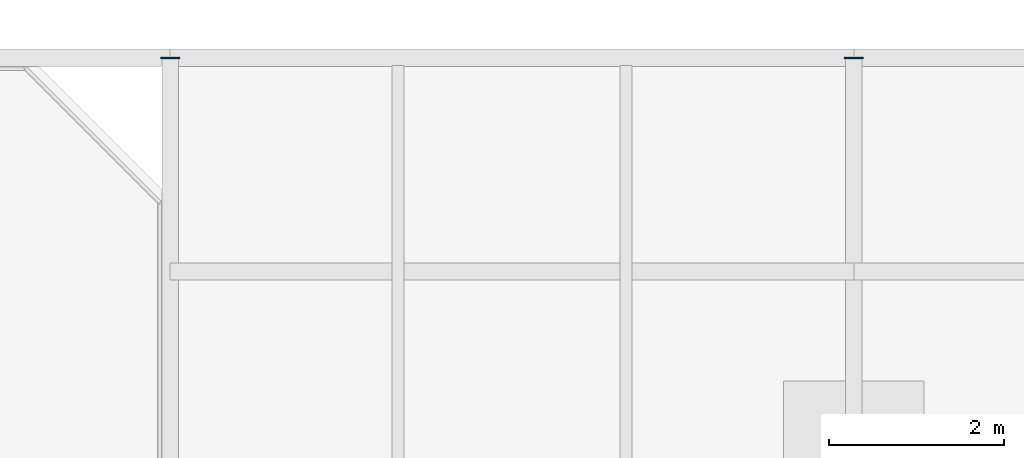
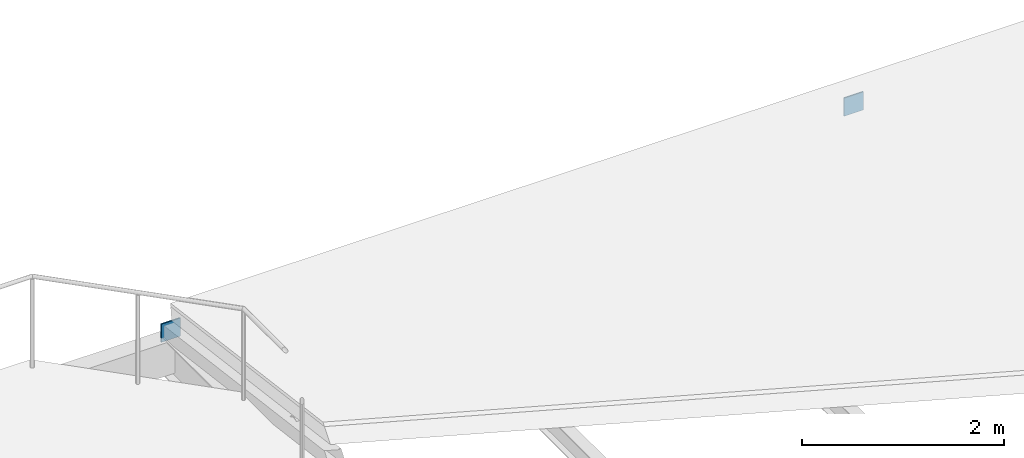
# One storey, part 31 of 45: 2 plates.
"""IFC4 building model written with IfcOpenShell, lengths in metres."""

from ifc_helpers import new_model, si_unit, direction, frame, origin, origin_2d, place, context, subcontext, project, spatial, rectangle, extrude, material, layer, layer_set, type_object, element, save


model = new_model("IFC4")

# Units and contexts
model_context = context("Model", 3, precision=1e-05, world=origin(), true_north=direction((0.0, 1.0)))
body_context = subcontext(model_context, "Body", "Model", "MODEL_VIEW")
ifc_project = project(units=[si_unit("LENGTHUNIT", "METRE"), si_unit("AREAUNIT", "SQUARE_METRE"), si_unit("VOLUMEUNIT", "CUBIC_METRE"), si_unit("PLANEANGLEUNIT", "RADIAN"), si_unit("MASSUNIT", "GRAM", prefix="KILO")], contexts=[model_context])

# Site, building, storey
site_placement = place(None, origin())
site = spatial("IfcSite", under=ifc_project, at=site_placement, CompositionType="ELEMENT")
building_placement = place(site_placement, origin())
building = spatial("IfcBuilding", under=site, at=building_placement, Name="Celorna Specialist Clinic", CompositionType="ELEMENT")
storey_placement = place(building_placement, frame((0.0, 0.0, 18.60009765625)))
storey = spatial("IfcBuildingStorey", under=building, at=storey_placement, Name="L04", CompositionType="ELEMENT", Elevation=18.60009765625)

# Plates
ifc_material = material(Name="Steel S355", Category="steel")
ifc_layer = layer(ifc_material, 0.01611328125, Name="Steel S355")
ifc_layer_set = layer_set([ifc_layer], Name="Steel S355")
plate_type = type_object("IfcPlateType", Name="EP-04", PredefinedType="SHEET", material=ifc_layer_set)
for number, where, z_axis, x_axis, name in (
    (1, (117.0, 116.0, -0.31201171875), (0.0, 0.0, 1.0), (1.0, 0.0, 0.0), "Rafter chord cap plate ROOF-V4-MID-N"),
    (2, (124.800048828125, 116.0, -0.31201171875), (0.0, 0.0, 1.0), (1.0, 0.0, 0.0), "Rafter chord cap plate ROOF-V4-MID-N"),
):
    element("IfcPlate", number, at=place(storey_placement, frame(where, z_axis=z_axis, x_axis=x_axis)), inside=storey, type_object=plate_type, Name=name, PredefinedType="SHEET", context=body_context, shape_type="SweptSolid", body=[
        extrude(rectangle(XDim=0.219970703125, YDim=0.013916015625, at=origin_2d()), origin(), (0.0, 0.0, 1.0), 0.219970703125),
    ])

save(model, "model.ifc")
